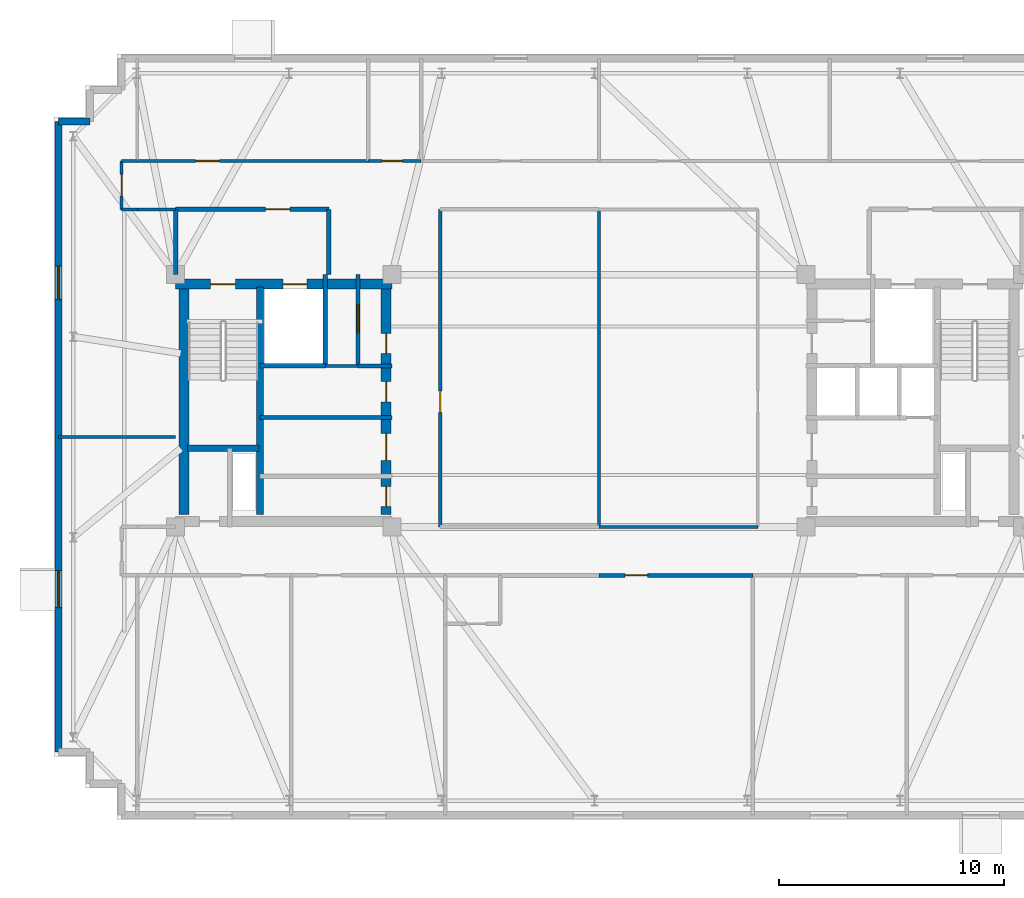
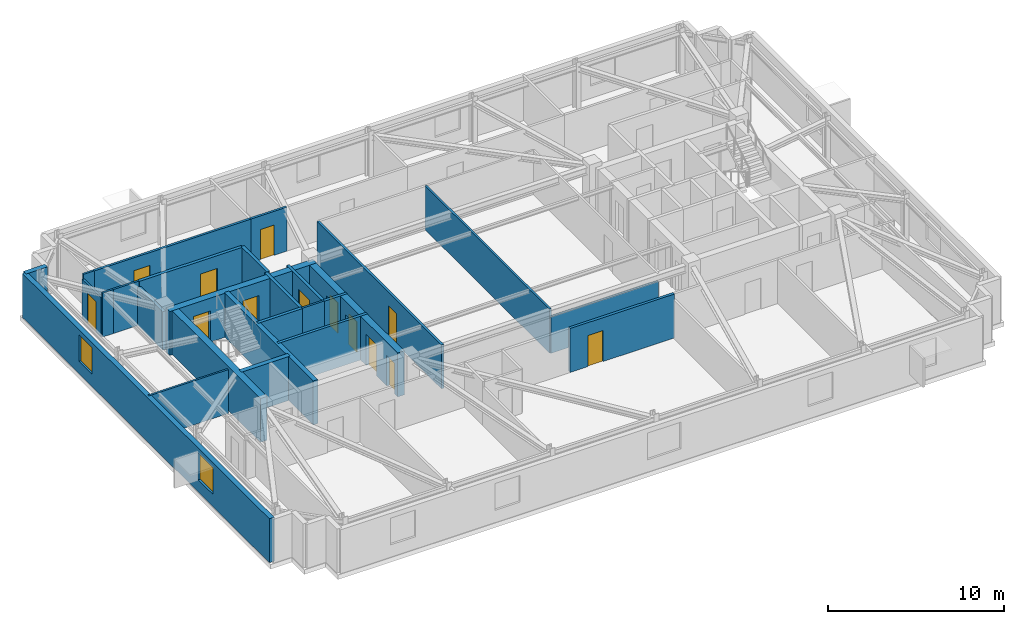
# One storey, part 6 of 10: 27 walls, 13 doors, 2 windows, 15 openings.
"""IFC4 building model written with IfcOpenShell, lengths in metres."""

import ifcopenshell
import ifcopenshell.guid

model = None  # the IFC model being written
_history = None  # IfcOwnerHistory: only IFC2X3 demands one
_inside = {}  # id of a spatial element -> (the spatial element, [elements in it])
_under = {}  # id of a project, library or spatial element -> (it, [spatial elements below it])
_declared = {}  # id of a project -> (the project, [libraries it declares])
_typed = {}  # id of a type object -> (the type object, [elements of that type])
_made_of = {}  # id of a material, layer set ... -> (it, [elements and type objects made of it])


def new_model(schema):
    """Start an empty IFC model of exactly this schema.

    Asked for "IFC4X3", IfcOpenShell would pick the latest addendum, in which some entities
    have other attributes; the version numbers below select the first issue.
    IFC2X3 requires an IfcOwnerHistory on every rooted entity: one is made here for all.
    """
    global model, _history
    if schema == "IFC4X3":
        model = ifcopenshell.file(schema_version=(4, 3, 0, 0))
    else:
        model = ifcopenshell.file(schema=schema)
    _inside.clear()
    _under.clear()
    _declared.clear()
    _typed.clear()
    _made_of.clear()
    _history = None
    if model.schema == "IFC2X3":
        org = make("IfcOrganization", Name="unknown")
        user = make(
            "IfcPersonAndOrganization",
            ThePerson=make("IfcPerson", FamilyName="unknown"),
            TheOrganization=org,
        )
        app = make(
            "IfcApplication",
            ApplicationDeveloper=org,
            Version="unknown",
            ApplicationFullName="unknown",
            ApplicationIdentifier="unknown",
        )
        _history = make(
            "IfcOwnerHistory",
            OwningUser=user,
            OwningApplication=app,
            ChangeAction="ADDED",
            CreationDate=0,
        )
    return model


def make(cls, **values):
    """One entity of the class cls with the attributes given. An attribute that is None is left unset."""
    return model.create_entity(
        cls, **{name: value for name, value in values.items() if value is not None}
    )


def rooted(cls, **values):
    """An entity with a GlobalId (a new one), such as an element, a storey or a relation."""
    return make(cls, GlobalId=ifcopenshell.guid.new(), OwnerHistory=_history, **values)


def si_unit(unit_type, name, prefix=None):
    """IfcSIUnit, for example si_unit("LENGTHUNIT", "METRE", prefix="MILLI")."""
    return make("IfcSIUnit", UnitType=unit_type, Prefix=prefix, Name=name)


def assignment(units):
    """IfcUnitAssignment: the units of a project."""
    return None if units is None else make("IfcUnitAssignment", Units=units)


def point(xyz):
    """IfcCartesianPoint."""
    return None if xyz is None else make("IfcCartesianPoint", Coordinates=xyz)


def direction(xyz):
    """IfcDirection."""
    return None if xyz is None else make("IfcDirection", DirectionRatios=xyz)


def frame(location, z_axis=None, x_axis=None):
    """IfcAxis2Placement3D, a coordinate frame: its origin and axes. An axis left out is left unset."""
    return make(
        "IfcAxis2Placement3D",
        Location=point(location),
        Axis=direction(z_axis),
        RefDirection=direction(x_axis),
    )


def frame_2d(location, x_axis=None):
    """IfcAxis2Placement2D, a coordinate frame in the plane: its origin and x axis."""
    return make(
        "IfcAxis2Placement2D", Location=point(location), RefDirection=direction(x_axis)
    )


def origin():
    """The frame at (0, 0, 0) with its axes left unset."""
    return frame((0.0, 0.0, 0.0))


def place(relative_to, where):
    """IfcLocalPlacement: puts the frame where relative to a parent placement (None: the world)."""
    return make(
        "IfcLocalPlacement", PlacementRelTo=relative_to, RelativePlacement=where
    )


def context(
    kind, dimensions, precision=None, world=None, true_north=None, identifier=None
):
    """IfcGeometricRepresentationContext, for example the 3D "Model" context."""
    return make(
        "IfcGeometricRepresentationContext",
        ContextIdentifier=identifier,
        ContextType=kind,
        CoordinateSpaceDimension=dimensions,
        Precision=precision,
        WorldCoordinateSystem=world,
        TrueNorth=true_north,
    )


def subcontext(parent, identifier, kind, view, scale=None):
    """IfcGeometricRepresentationSubContext, for example "Body" below "Model"."""
    return make(
        "IfcGeometricRepresentationSubContext",
        ContextIdentifier=identifier,
        ContextType=kind,
        ParentContext=parent,
        TargetScale=scale,
        TargetView=view,
    )


def project(units=None, contexts=None):
    """IfcProject with its units and contexts."""
    return rooted(
        "IfcProject",
        Name="project",
        RepresentationContexts=contexts,
        UnitsInContext=assignment(units),
    )


def spatial(cls, under=None, at=None, **own):
    """A site, building, storey or space (cls), placed at a placement, below another one or the project."""
    s = rooted(cls, ObjectPlacement=at, **own)
    if under is not None:
        _under.setdefault(under.id(), (under, []))[1].append(s)
    return s


def profile(cls, at=None, kind="AREA", **sizes):
    """A parametric profile (cls). Its sizes go by their IFC names, for example OverallWidth=200.0."""
    return make(cls, ProfileType=kind, Position=at, **sizes)


def rectangle(**sizes):
    """IfcRectangleProfileDef."""
    return profile("IfcRectangleProfileDef", **sizes)


def extrude(swept, where, along, depth):
    """IfcExtrudedAreaSolid: the profile swept, set in the frame where, extruded along a direction by depth."""
    return make(
        "IfcExtrudedAreaSolid",
        SweptArea=swept,
        Position=where,
        ExtrudedDirection=direction(along),
        Depth=depth,
    )


def shape(context_of_items, identifier, shape_type, items):
    """IfcShapeRepresentation: the items that make up one representation, for example the "Body"."""
    return make(
        "IfcShapeRepresentation",
        ContextOfItems=context_of_items,
        RepresentationIdentifier=identifier,
        RepresentationType=shape_type,
        Items=items,
    )


def material(Name=None, Category=None):
    """IfcMaterial."""
    return make("IfcMaterial", Name=Name, Category=Category)


def layer(
    of_material, thickness, ventilated=None, Name=None, Category=None, Priority=None
):
    """IfcMaterialLayer: one layer of a wall or slab, of a material (None: an air gap)."""
    return make(
        "IfcMaterialLayer",
        Material=of_material,
        LayerThickness=thickness,
        IsVentilated=ventilated,
        Name=Name,
        Category=Category,
        Priority=Priority,
    )


def layer_set(layers, Name=None):
    """IfcMaterialLayerSet."""
    return make("IfcMaterialLayerSet", MaterialLayers=layers, LayerSetName=Name)


def made_of(thing, what):
    """Note that an element or type object is made of a material, layer set ...; save() writes the relation."""
    if what is not None:
        _made_of.setdefault(what.id(), (what, []))[1].append(thing)
    return thing


def type_object(cls, material=None, **own):
    """A type object (cls), such as IfcWallType, which elements share."""
    return made_of(rooted(cls, **own), material)


def element(
    cls,
    number,
    at=None,
    inside=None,
    cuts=None,
    type_object=None,
    material=None,
    context=None,
    identifier="Body",
    shape_type=None,
    held_by="IfcProductDefinitionShape",
    body=None,
    shapes=None,
    **own,
):
    """One element of the class cls, such as IfcWall. Its Tag is "e" and its number.

    at: its placement. inside: the storey or other place that contains it. cuts: it is an
    opening in that element (IfcRelVoidsElement). A single representation is given by context,
    identifier, shape_type and body (its items); several are given by shapes. held_by: the class
    of the entity that holds the representations. save() writes the other relations.
    """
    e = rooted(cls, Tag="e%d" % number, ObjectPlacement=at, **own)
    if body is not None:
        shapes = [shape(context, identifier, shape_type, body)]
    if shapes is not None:
        e.Representation = make(held_by, Representations=shapes)
    if inside is not None:
        _inside.setdefault(inside.id(), (inside, []))[1].append(e)
    if cuts is not None:
        rooted(
            "IfcRelVoidsElement", RelatingBuildingElement=cuts, RelatedOpeningElement=e
        )
    if type_object is not None:
        _typed.setdefault(type_object.id(), (type_object, []))[1].append(e)
    return made_of(e, material)


def fill(opening, filler):
    """IfcRelFillsElement: the door or window that sits in an opening."""
    return rooted(
        "IfcRelFillsElement",
        RelatingOpeningElement=opening,
        RelatedBuildingElement=filler,
    )


def aggregate(whole, parts):
    """IfcRelAggregates: a whole, such as a stair, and the parts it consists of."""
    return rooted("IfcRelAggregates", RelatingObject=whole, RelatedObjects=parts)


def save(model, path):
    """Write the relations noted so far, then the file.

    IfcRelAggregates (storeys below a building ...), IfcRelContainedInSpatialStructure (elements
    in a storey), IfcRelDefinesByType, IfcRelAssociatesMaterial and IfcRelDeclares: one each for
    every whole, place, type object, material and project.
    """
    for whole, parts in _under.values():
        aggregate(whole, parts)
    for where, things in _inside.values():
        rooted(
            "IfcRelContainedInSpatialStructure",
            RelatedElements=things,
            RelatingStructure=where,
        )
    for kind, things in _typed.values():
        rooted("IfcRelDefinesByType", RelatedObjects=things, RelatingType=kind)
    for what, things in _made_of.values():
        rooted("IfcRelAssociatesMaterial", RelatedObjects=things, RelatingMaterial=what)
    for by, libraries in _declared.values():
        rooted("IfcRelDeclares", RelatingContext=by, RelatedDefinitions=libraries)
    model.write(path)


model = new_model("IFC4")

# Units and contexts
model_context = context("Model", 3, precision=1e-05, world=origin(), true_north=direction((0.0, 1.0)))
body_context = subcontext(model_context, "Body", "Model", "MODEL_VIEW")
ifc_project = project(units=[si_unit("LENGTHUNIT", "METRE"), si_unit("AREAUNIT", "SQUARE_METRE"), si_unit("VOLUMEUNIT", "CUBIC_METRE"), si_unit("PLANEANGLEUNIT", "RADIAN"), si_unit("MASSUNIT", "GRAM", prefix="KILO")], contexts=[model_context])

# Site, building, storey
site_placement = place(None, origin())
site = spatial("IfcSite", under=ifc_project, at=site_placement, CompositionType="ELEMENT")
building_placement = place(site_placement, origin())
building = spatial("IfcBuilding", under=site, at=building_placement, Name="Qobustan Lattice House", CompositionType="ELEMENT")
storey_placement = place(building_placement, frame((0.0, 0.0, 235.0)))
storey = spatial("IfcBuildingStorey", under=building, at=storey_placement, Name="L66", CompositionType="ELEMENT", Elevation=235.0)

# Wall, openings, doors
ifc_material_1 = material(Name="Concrete C50/60", Category="concrete")
ifc_layer_1 = layer(ifc_material_1, 0.43994140625)
ifc_layer_set_1 = layer_set([ifc_layer_1], Name="Concrete C50/60")
wall_type_1 = type_object("IfcWallType", Name="WAL-CORE-440", PredefinedType="SHEAR", material=ifc_layer_set_1)
wall_1_placement = place(storey_placement, frame((-18.800048828125, 5.179931640625, 0.0), z_axis=(0.0, 0.0, 1.0), x_axis=(1.0, 0.0, 0.0)))
wall_1 = element("IfcWall", 1, at=wall_1_placement, inside=storey, type_object=wall_type_1, Name="L66 split-core shear wall CW-N", PredefinedType="SHEAR", context=body_context, shape_type="SweptSolid", body=[
    extrude(rectangle(XDim=9.60009765625, YDim=0.43994140625, at=frame_2d((4.800048828125, 0.0))), origin(), (0.0, 0.0, 1.0), 3.0400390625),
])
opening_1_placement = place(wall_1_placement, frame((1.550048828125, 0.0, 0.0)))
opening_1 = element("IfcOpeningElement", 2, at=opening_1_placement, cuts=wall_1, Name="Opening SD-01", PredefinedType="OPENING", context=body_context, shape_type="SweptSolid", body=[
    extrude(rectangle(XDim=1.10009765625, YDim=2.14990234375, at=frame_2d((0.550048828125, 1.074951171875))), frame((0.0, 0.22998046875, 0.0), z_axis=(0.0, -1.0, 0.0), x_axis=(1.0, 0.0, 0.0)), (0.0, 0.0, 1.0), 0.4599609375),
])
opening_2_placement = place(wall_1_placement, frame((4.77490234375, 0.0, 0.0)))
opening_2 = element("IfcOpeningElement", 3, at=opening_2_placement, cuts=wall_1, Name="Opening LD-01", PredefinedType="OPENING", context=body_context, shape_type="SweptSolid", body=[
    extrude(rectangle(XDim=1.050048828125, YDim=2.10009765625, at=frame_2d((0.52490234375, 1.050048828125))), frame((0.0, 0.22998046875, 0.0), z_axis=(0.0, -1.0, 0.0), x_axis=(1.0, 0.0, 0.0)), (0.0, 0.0, 1.0), 0.4599609375),
])
ifc_material_2 = material(Name="Persian walnut timber and steel frame door", Category="steel")
door_type_1 = type_object("IfcDoorType", Name="DOR-LIFT-LD-1050x2100", OperationType="NOTDEFINED", PredefinedType="DOOR", material=ifc_material_2)
door_1_placement = place(opening_2_placement, origin())
door_1 = element("IfcDoor", 4, at=door_1_placement, inside=storey, type_object=door_type_1, Name="L66 firefighting lift FF-W landing door", OperationType="DOUBLE_DOOR_SLIDING", OverallHeight=2.10009765625, OverallWidth=1.050048828125, PredefinedType="DOOR", context=body_context, shape_type="SweptSolid", body=[
    extrude(rectangle(XDim=1.050048828125, YDim=2.10009765625, at=frame_2d((0.52490234375, 1.050048828125))), frame((0.0, 0.02490234375, 0.0), z_axis=(0.0, -1.0, 0.0), x_axis=(1.0, 0.0, 0.0)), (0.0, 0.0, 1.0), 0.050048828125),
])
fill(opening_2, door_1)
ifc_material_3 = material(Name="Persian walnut timber and steel frame door", Category="steel")
door_type_2 = type_object("IfcDoorType", Name="DOR-STAIR-FD-1100x2150", OperationType="NOTDEFINED", PredefinedType="DOOR", material=ifc_material_3)
door_2_placement = place(opening_1_placement, origin())
door_2 = element("IfcDoor", 5, at=door_2_placement, inside=storey, type_object=door_type_2, Name="L66 exit stair ST-W1 fire door", OperationType="SINGLE_SWING_RIGHT", OverallHeight=2.14990234375, OverallWidth=1.10009765625, PredefinedType="DOOR", context=body_context, shape_type="SweptSolid", body=[
    extrude(rectangle(XDim=1.10009765625, YDim=2.14990234375, at=frame_2d((0.550048828125, 1.074951171875))), frame((0.0, 0.02490234375, 0.0), z_axis=(0.0, -1.0, 0.0), x_axis=(1.0, 0.0, 0.0)), (0.0, 0.0, 1.0), 0.050048828125),
])
fill(opening_1, door_2)

# Wall
wall_2_placement = place(storey_placement, frame((-18.429931640625, -5.050048828125, 0.0), z_axis=(0.0, 0.0, 1.0), x_axis=(0.0, 1.0, 0.0)))
element("IfcWall", 6, at=wall_2_placement, inside=storey, type_object=wall_type_1, Name="L66 split-core shear wall CW-W", PredefinedType="SHEAR", context=body_context, shape_type="SweptSolid", body=[
    extrude(rectangle(XDim=10.10009765625, YDim=0.43994140625, at=frame_2d((5.050048828125, 0.0))), origin(), (0.0, 0.0, 1.0), 3.0400390625),
])

# Wall, openings, doors
wall_3_placement = place(storey_placement, frame((-9.449951171875, -5.050048828125, 0.0), z_axis=(0.0, 0.0, 1.0), x_axis=(0.0, 1.0, 0.0)))
wall_3 = element("IfcWall", 7, at=wall_3_placement, inside=storey, type_object=wall_type_1, Name="L66 split-core shear wall CW-E", PredefinedType="SHEAR", context=body_context, shape_type="SweptSolid", body=[
    extrude(rectangle(XDim=10.10009765625, YDim=0.43994140625, at=frame_2d((5.050048828125, 0.0))), origin(), (0.0, 0.0, 1.0), 3.0400390625),
])
opening_3_placement = place(wall_3_placement, frame((7.14990234375, 0.0, 0.0)))
opening_3 = element("IfcOpeningElement", 8, at=opening_3_placement, cuts=wall_3, Name="Opening RD-01", PredefinedType="OPENING", context=body_context, shape_type="SweptSolid", body=[
    extrude(rectangle(XDim=0.89990234375, YDim=2.10009765625, at=frame_2d((0.449951171875, 1.050048828125))), frame((0.0, 0.22998046875, 0.0), z_axis=(0.0, -1.0, 0.0), x_axis=(1.0, 0.0, 0.0)), (0.0, 0.0, 1.0), 0.4599609375),
])
opening_4_placement = place(wall_3_placement, frame((2.39990234375, 0.0, 0.0)))
opening_4 = element("IfcOpeningElement", 9, at=opening_4_placement, cuts=wall_3, Name="Opening FD-01", PredefinedType="OPENING", context=body_context, shape_type="SweptSolid", body=[
    extrude(rectangle(XDim=1.199951171875, YDim=2.14990234375, at=frame_2d((0.60009765625, 1.074951171875))), frame((0.0, 0.22998046875, 0.0), z_axis=(0.0, -1.0, 0.0), x_axis=(1.0, 0.0, 0.0)), (0.0, 0.0, 1.0), 0.4599609375),
])
opening_5_placement = place(wall_3_placement, frame((0.35009765625, 0.0, 0.0)))
opening_5 = element("IfcOpeningElement", 10, at=opening_5_placement, cuts=wall_3, Name="Opening RD-01", PredefinedType="OPENING", context=body_context, shape_type="SweptSolid", body=[
    extrude(rectangle(XDim=0.89990234375, YDim=2.10009765625, at=frame_2d((0.449951171875, 1.050048828125))), frame((0.0, 0.22998046875, 0.0), z_axis=(0.0, -1.0, 0.0), x_axis=(1.0, 0.0, 0.0)), (0.0, 0.0, 1.0), 0.4599609375),
])
opening_6_placement = place(wall_3_placement, frame((5.0, 0.0, 0.0)))
opening_6 = element("IfcOpeningElement", 11, at=opening_6_placement, cuts=wall_3, Name="Opening RD-01", PredefinedType="OPENING", context=body_context, shape_type="SweptSolid", body=[
    extrude(rectangle(XDim=0.89990234375, YDim=2.10009765625, at=frame_2d((0.449951171875, 1.050048828125))), frame((0.0, 0.22998046875, 0.0), z_axis=(0.0, -1.0, 0.0), x_axis=(1.0, 0.0, 0.0)), (0.0, 0.0, 1.0), 0.4599609375),
])
ifc_material_4 = material(Name="Persian walnut timber and steel frame door", Category="steel")
door_type_3 = type_object("IfcDoorType", Name="DOR-LOBBY-FD-1200x2150", OperationType="NOTDEFINED", PredefinedType="DOOR", material=ifc_material_4)
door_3_placement = place(opening_4_placement, origin())
door_3 = element("IfcDoor", 12, at=door_3_placement, inside=storey, type_object=door_type_3, Name="L66 West core foyer fire door", OperationType="SINGLE_SWING_LEFT", OverallHeight=2.14990234375, OverallWidth=1.199951171875, PredefinedType="DOOR", context=body_context, shape_type="SweptSolid", body=[
    extrude(rectangle(XDim=1.199951171875, YDim=2.14990234375, at=frame_2d((0.60009765625, 1.074951171875))), frame((0.0, 0.02490234375, 0.0), z_axis=(0.0, -1.0, 0.0), x_axis=(1.0, 0.0, 0.0)), (0.0, 0.0, 1.0), 0.050048828125),
])
fill(opening_4, door_3)
ifc_material_5 = material(Name="Persian walnut timber and steel frame door", Category="steel")
door_type_4 = type_object("IfcDoorType", Name="DOR-RISER-FD-900x2100", OperationType="NOTDEFINED", PredefinedType="DOOR", material=ifc_material_5)
door_4_placement = place(opening_3_placement, origin())
door_4 = element("IfcDoor", 13, at=door_4_placement, inside=storey, type_object=door_type_4, Name="L66 Data comms closet fire door", OperationType="SINGLE_SWING_RIGHT", OverallHeight=2.10009765625, OverallWidth=0.89990234375, PredefinedType="DOOR", context=body_context, shape_type="SweptSolid", body=[
    extrude(rectangle(XDim=0.89990234375, YDim=2.10009765625, at=frame_2d((0.449951171875, 1.050048828125))), frame((0.0, 0.02490234375, 0.0), z_axis=(0.0, -1.0, 0.0), x_axis=(1.0, 0.0, 0.0)), (0.0, 0.0, 1.0), 0.050048828125),
])
fill(opening_3, door_4)
door_5_placement = place(opening_5_placement, origin())
door_5 = element("IfcDoor", 14, at=door_5_placement, inside=storey, type_object=door_type_4, Name="L66 Collaborative study lounge fire door", OperationType="SINGLE_SWING_RIGHT", OverallHeight=2.10009765625, OverallWidth=0.89990234375, PredefinedType="DOOR", context=body_context, shape_type="SweptSolid", body=[
    extrude(rectangle(XDim=0.89990234375, YDim=2.10009765625, at=frame_2d((0.449951171875, 1.050048828125))), frame((0.0, 0.02490234375, 0.0), z_axis=(0.0, -1.0, 0.0), x_axis=(1.0, 0.0, 0.0)), (0.0, 0.0, 1.0), 0.050048828125),
])
fill(opening_5, door_5)
door_6_placement = place(opening_6_placement, origin())
door_6 = element("IfcDoor", 15, at=door_6_placement, inside=storey, type_object=door_type_4, Name="L66 Focus booth pod fire door", OperationType="SINGLE_SWING_LEFT", OverallHeight=2.10009765625, OverallWidth=0.89990234375, PredefinedType="DOOR", context=body_context, shape_type="SweptSolid", body=[
    extrude(rectangle(XDim=0.89990234375, YDim=2.10009765625, at=frame_2d((0.449951171875, 1.050048828125))), frame((0.0, 0.02490234375, 0.0), z_axis=(0.0, -1.0, 0.0), x_axis=(1.0, 0.0, 0.0)), (0.0, 0.0, 1.0), 0.050048828125),
])
fill(opening_6, door_6)

# Walls
ifc_material_6 = material(Name="Concrete C50/60", Category="concrete")
ifc_layer_2 = layer(ifc_material_6, 0.280029296875)
ifc_layer_set_2 = layer_set([ifc_layer_2], Name="Concrete C50/60")
wall_type_2 = type_object("IfcWallType", Name="WAL-CORE-SPINE-280", PredefinedType="SHEAR", material=ifc_layer_set_2)
wall_4_placement = place(storey_placement, frame((-15.050048828125, -5.050048828125, 0.0), z_axis=(0.0, 0.0, 1.0), x_axis=(0.0, 1.0, 0.0)))
element("IfcWall", 16, at=wall_4_placement, inside=storey, type_object=wall_type_2, Name="L66 split-core shear wall CW-M", PredefinedType="SHEAR", context=body_context, shape_type="SweptSolid", body=[
    extrude(rectangle(XDim=10.10009765625, YDim=0.300048828125, at=frame_2d((5.050048828125, 0.0))), origin(), (0.0, 0.0, 1.0), 3.0400390625),
])
wall_5_placement = place(storey_placement, frame((-18.280029296875, -2.110107421875, 0.0), z_axis=(0.0, 0.0, 1.0), x_axis=(1.0, 0.0, 0.0)))
element("IfcWall", 17, at=wall_5_placement, inside=storey, type_object=wall_type_2, Name="L66 split-core shear wall CW-ST", PredefinedType="SHEAR", context=body_context, shape_type="SweptSolid", body=[
    extrude(rectangle(XDim=3.179931640625, YDim=0.300048828125, at=frame_2d((1.58984375, 0.0))), origin(), (0.0, 0.0, 1.0), 3.0400390625),
])

# Wall, openings, windows
ifc_material_7 = material(Name="Precast concrete C40/50", Category="concrete")
ifc_layer_3 = layer(ifc_material_7, 0.320068359375)
ifc_layer_set_3 = layer_set([ifc_layer_3], Name="Precast concrete C40/50")
wall_type_3 = type_object("IfcWallType", Name="WAL-EXT-STONE-320", PredefinedType="SOLIDWALL", material=ifc_layer_set_3)
wall_6_placement = place(storey_placement, frame((-24.0, -15.60009765625, 0.0), z_axis=(0.0, 0.0, 1.0), x_axis=(0.0, 1.0, 0.0)))
wall_6 = element("IfcWall", 18, at=wall_6_placement, inside=storey, type_object=wall_type_3, Name="L66 exterior limestone-clad wall 5", PredefinedType="SOLIDWALL", context=body_context, shape_type="SweptSolid", body=[
    extrude(rectangle(XDim=28.0, YDim=0.320068359375, at=frame_2d((14.0, 0.0))), origin(), (0.0, 0.0, 1.0), 3.0400390625),
])
opening_7_placement = place(wall_6_placement, frame((6.4150390625, 0.0, 0.85009765625)))
opening_7 = element("IfcOpeningElement", 19, at=opening_7_placement, cuts=wall_6, Name="Opening WN-09", PredefinedType="OPENING", context=body_context, shape_type="SweptSolid", body=[
    extrude(rectangle(XDim=1.64990234375, YDim=1.85009765625, at=frame_2d((0.824951171875, 0.925048828125))), frame((0.0, 0.169921875, 0.0), z_axis=(0.0, -1.0, 0.0), x_axis=(1.0, 0.0, 0.0)), (0.0, 0.0, 1.0), 0.340087890625),
])
opening_8_placement = place(wall_6_placement, frame((20.090087890625, 0.0, 0.85009765625)))
opening_8 = element("IfcOpeningElement", 20, at=opening_8_placement, cuts=wall_6, Name="Opening WN-01", PredefinedType="OPENING", context=body_context, shape_type="SweptSolid", body=[
    extrude(rectangle(XDim=1.5, YDim=1.85009765625, at=frame_2d((0.75, 0.925048828125))), frame((0.0, 0.169921875, 0.0), z_axis=(0.0, -1.0, 0.0), x_axis=(1.0, 0.0, 0.0)), (0.0, 0.0, 1.0), 0.340087890625),
])
ifc_material_8 = material(Name="Double-glazed low-E aluminium window", Category="aluminium")
window_type_1 = type_object("IfcWindowType", Name="WIN-BED-1500x1850", PartitioningType="SINGLE_PANEL", PredefinedType="WINDOW", material=ifc_material_8)
window_1_placement = place(opening_8_placement, origin())
window_1 = element("IfcWindow", 21, at=window_1_placement, inside=storey, type_object=window_type_1, Name="L66 Music and podcast studio window", OverallHeight=1.85009765625, OverallWidth=1.5, PartitioningType="SINGLE_PANEL", PredefinedType="WINDOW", context=body_context, shape_type="SweptSolid", body=[
    extrude(rectangle(XDim=1.5, YDim=1.85009765625, at=frame_2d((0.75, 0.925048828125))), frame((0.0, 0.030029296875, 0.0), z_axis=(0.0, -1.0, 0.0), x_axis=(1.0, 0.0, 0.0)), (0.0, 0.0, 1.0), 0.06005859375),
])
fill(opening_8, window_1)
ifc_material_9 = material(Name="Double-glazed low-E aluminium window", Category="aluminium")
window_type_2 = type_object("IfcWindowType", Name="WIN-STU-1650x1850", PartitioningType="SINGLE_PANEL", PredefinedType="WINDOW", material=ifc_material_9)
window_2_placement = place(opening_7_placement, origin())
window_2 = element("IfcWindow", 22, at=window_2_placement, inside=storey, type_object=window_type_2, Name="L66 Academic seminar room window", OverallHeight=1.85009765625, OverallWidth=1.64990234375, PartitioningType="SINGLE_PANEL", PredefinedType="WINDOW", context=body_context, shape_type="SweptSolid", body=[
    extrude(rectangle(XDim=1.64990234375, YDim=1.85009765625, at=frame_2d((0.824951171875, 0.925048828125))), frame((0.0, 0.030029296875, 0.0), z_axis=(0.0, -1.0, 0.0), x_axis=(1.0, 0.0, 0.0)), (0.0, 0.0, 1.0), 0.06005859375),
])
fill(opening_7, window_2)

# Wall
wall_7_placement = place(storey_placement, frame((-24.0, 12.39990234375, 0.0), z_axis=(0.0, 0.0, 1.0), x_axis=(1.0, 0.0, 0.0)))
element("IfcWall", 23, at=wall_7_placement, inside=storey, type_object=wall_type_3, Name="L66 exterior limestone-clad wall 6", PredefinedType="SOLIDWALL", context=body_context, shape_type="SweptSolid", body=[
    extrude(rectangle(XDim=1.39990234375, YDim=0.320068359375, at=frame_2d((0.699951171875, 0.0))), origin(), (0.0, 0.0, 1.0), 3.0400390625),
])

# Wall, opening, door
ifc_material_10 = material(Name="Gypsum fireboard acoustic partition", Category="gypsum")
ifc_layer_4 = layer(ifc_material_10, 0.179931640625)
ifc_layer_set_4 = layer_set([ifc_layer_4], Name="Gypsum fireboard acoustic partition")
wall_type_4 = type_object("IfcWallType", Name="WAL-FIRE-180", PredefinedType="PARTITIONING", material=ifc_layer_set_4)
wall_8_placement = place(storey_placement, frame((-10.699951171875, 5.60009765625, 0.0), z_axis=(0.0, 0.0, 1.0), x_axis=(0.0, -1.0, 0.0)))
wall_8 = element("IfcWall", 24, at=wall_8_placement, inside=storey, type_object=wall_type_4, Name="L66 interior partition 6", PredefinedType="PARTITIONING", context=body_context, shape_type="SweptSolid", body=[
    extrude(rectangle(XDim=4.050048828125, YDim=0.179931640625, at=frame_2d((2.02490234375, 0.0))), origin(), (0.0, 0.0, 1.0), 3.0400390625),
])
opening_9_placement = place(wall_8_placement, frame((1.324951171875, 0.0, 0.0)))
opening_9 = element("IfcOpeningElement", 25, at=opening_9_placement, cuts=wall_8, Name="Opening FD-03", PredefinedType="OPENING", context=body_context, shape_type="SweptSolid", body=[
    extrude(rectangle(XDim=1.25, YDim=2.199951171875, at=frame_2d((0.625, 1.10009765625))), frame((0.0, 0.099853515625, 0.0), z_axis=(0.0, -1.0, 0.0), x_axis=(1.0, 0.0, 0.0)), (0.0, 0.0, 1.0), 0.199951171875),
])
ifc_material_11 = material(Name="Persian walnut timber and steel frame door", Category="steel")
door_type_5 = type_object("IfcDoorType", Name="DOR-PLANT-1250x2200", OperationType="NOTDEFINED", PredefinedType="DOOR", material=ifc_material_11)
door_7_placement = place(opening_9_placement, origin())
door_7 = element("IfcDoor", 26, at=door_7_placement, inside=storey, type_object=door_type_5, Name="L66 Data comms closet to Linen store door", OperationType="SINGLE_SWING_LEFT", OverallHeight=2.199951171875, OverallWidth=1.25, PredefinedType="DOOR", context=body_context, shape_type="SweptSolid", body=[
    extrude(rectangle(XDim=1.25, YDim=2.199951171875, at=frame_2d((0.625, 1.10009765625))), frame((0.0, 0.02490234375, 0.0), z_axis=(0.0, -1.0, 0.0), x_axis=(1.0, 0.0, 0.0)), (0.0, 0.0, 1.0), 0.050048828125),
])
fill(opening_9, door_7)

# Walls
wall_9_placement = place(storey_placement, frame((-10.699951171875, 1.550048828125, 0.0), z_axis=(0.0, 0.0, 1.0), x_axis=(1.0, 0.0, 0.0)))
element("IfcWall", 27, at=wall_9_placement, inside=storey, type_object=wall_type_4, Name="L66 interior partition 7", PredefinedType="PARTITIONING", context=body_context, shape_type="SweptSolid", body=[
    extrude(rectangle(XDim=1.5, YDim=0.179931640625, at=frame_2d((0.75, 0.0))), origin(), (0.0, 0.0, 1.0), 3.0400390625),
])
wall_10_placement = place(storey_placement, frame((-9.199951171875, -0.75, 0.0), z_axis=(0.0, 0.0, 1.0), x_axis=(-1.0, 0.0, 0.0)))
element("IfcWall", 28, at=wall_10_placement, inside=storey, type_object=wall_type_4, Name="L66 interior partition 11", PredefinedType="PARTITIONING", context=body_context, shape_type="SweptSolid", body=[
    extrude(rectangle(XDim=5.85009765625, YDim=0.179931640625, at=frame_2d((2.925048828125, 0.0))), origin(), (0.0, 0.0, 1.0), 3.0400390625),
])

# Wall, opening, door
wall_11_placement = place(storey_placement, frame((6.8330078125, -7.75, 0.0), z_axis=(0.0, 0.0, 1.0), x_axis=(-1.0, 0.0, 0.0)))
wall_11 = element("IfcWall", 29, at=wall_11_placement, inside=storey, type_object=wall_type_4, Name="L66 interior partition 59", PredefinedType="PARTITIONING", context=body_context, shape_type="SweptSolid", body=[
    extrude(rectangle(XDim=6.8330078125, YDim=0.179931640625, at=frame_2d((3.41650390625, 0.0))), origin(), (0.0, 0.0, 1.0), 3.0400390625),
])
opening_10_placement = place(wall_11_placement, frame((4.6689453125, 0.0, 0.0)))
opening_10 = element("IfcOpeningElement", 30, at=opening_10_placement, cuts=wall_11, Name="Opening FD-02", PredefinedType="OPENING", context=body_context, shape_type="SweptSolid", body=[
    extrude(rectangle(XDim=1.0, YDim=2.14990234375, at=frame_2d((0.5, 1.074951171875))), frame((0.0, 0.099853515625, 0.0), z_axis=(0.0, -1.0, 0.0), x_axis=(1.0, 0.0, 0.0)), (0.0, 0.0, 1.0), 0.199951171875),
])
ifc_material_12 = material(Name="Persian walnut timber and steel frame door", Category="steel")
door_type_6 = type_object("IfcDoorType", Name="DOR-UNIT-FD-1000x2150", OperationType="NOTDEFINED", PredefinedType="DOOR", material=ifc_material_12)
door_8_placement = place(opening_10_placement, origin())
door_8 = element("IfcDoor", 31, at=door_8_placement, inside=storey, type_object=door_type_6, Name="L66 South-east floor corridor to Kitchenette and studio apartment L66-S2 door", OperationType="SINGLE_SWING_RIGHT", OverallHeight=2.14990234375, OverallWidth=1.0, PredefinedType="DOOR", context=body_context, shape_type="SweptSolid", body=[
    extrude(rectangle(XDim=1.0, YDim=2.14990234375, at=frame_2d((0.5, 1.074951171875))), frame((0.0, 0.02490234375, 0.0), z_axis=(0.0, -1.0, 0.0), x_axis=(1.0, 0.0, 0.0)), (0.0, 0.0, 1.0), 0.050048828125),
])
fill(opening_10, door_8)

# Wall
ifc_material_13 = material(Name="Lightweight acoustic stud partition", Category="gypsum")
ifc_layer_5 = layer(ifc_material_13, 0.125)
ifc_layer_set_5 = layer_set([ifc_layer_5], Name="Lightweight acoustic stud partition")
wall_type_5 = type_object("IfcWallType", Name="WAL-PART-125", PredefinedType="PARTITIONING", material=ifc_layer_set_5)
wall_12_placement = place(storey_placement, frame((-12.14990234375, 1.550048828125, 0.0), z_axis=(0.0, 0.0, 1.0), x_axis=(1.0, 0.0, 0.0)))
element("IfcWall", 32, at=wall_12_placement, inside=storey, type_object=wall_type_5, Name="L66 interior partition 9", PredefinedType="PARTITIONING", context=body_context, shape_type="SweptSolid", body=[
    extrude(rectangle(XDim=1.449951171875, YDim=0.125, at=frame_2d((0.72509765625, 0.0))), origin(), (0.0, 0.0, 1.0), 3.0400390625),
])

# Wall, opening, door
wall_13_placement = place(storey_placement, frame((-21.199951171875, 8.5, 0.0), z_axis=(0.0, 0.0, 1.0), x_axis=(0.0, 1.0, 0.0)))
wall_13 = element("IfcWall", 33, at=wall_13_placement, inside=storey, type_object=wall_type_5, Name="L66 interior partition 31", PredefinedType="PARTITIONING", context=body_context, shape_type="SweptSolid", body=[
    extrude(rectangle(XDim=2.14990234375, YDim=0.125, at=frame_2d((1.074951171875, 0.0))), origin(), (0.0, 0.0, 1.0), 2.695068359375),
])
opening_11_placement = place(wall_13_placement, frame((0.60009765625, 0.0, 0.0)))
opening_11 = element("IfcOpeningElement", 34, at=opening_11_placement, cuts=wall_13, Name="Opening ID-01", PredefinedType="OPENING", context=body_context, shape_type="SweptSolid", body=[
    extrude(rectangle(XDim=0.949951171875, YDim=2.10009765625, at=frame_2d((0.47509765625, 1.050048828125))), frame((0.0, 0.072509765625, 0.0), z_axis=(0.0, -1.0, 0.0), x_axis=(1.0, 0.0, 0.0)), (0.0, 0.0, 1.0), 0.14501953125),
])
ifc_material_14 = material(Name="Persian walnut timber and steel frame door", Category="steel")
door_type_7 = type_object("IfcDoorType", Name="DOR-ROOM-950x2100", OperationType="NOTDEFINED", PredefinedType="DOOR", material=ifc_material_14)
door_9_placement = place(opening_11_placement, origin())
door_9 = element("IfcDoor", 35, at=door_9_placement, inside=storey, type_object=door_type_7, Name="L66 North-west floor corridor to Music and podcast studio door", OperationType="SINGLE_SWING_LEFT", OverallHeight=2.10009765625, OverallWidth=0.949951171875, PredefinedType="DOOR", context=body_context, shape_type="SweptSolid", body=[
    extrude(rectangle(XDim=0.949951171875, YDim=2.10009765625, at=frame_2d((0.47509765625, 1.050048828125))), frame((0.0, 0.02490234375, 0.0), z_axis=(0.0, -1.0, 0.0), x_axis=(1.0, 0.0, 0.0)), (0.0, 0.0, 1.0), 0.050048828125),
])
fill(opening_11, door_9)

# Walls
wall_14_placement = place(storey_placement, frame((-18.800048828125, 8.5, 0.0), z_axis=(0.0, 0.0, 1.0), x_axis=(-1.0, 0.0, 0.0)))
element("IfcWall", 36, at=wall_14_placement, inside=storey, type_object=wall_type_5, Name="L66 interior partition 32", PredefinedType="PARTITIONING", context=body_context, shape_type="SweptSolid", body=[
    extrude(rectangle(XDim=1.699951171875, YDim=0.125, at=frame_2d((0.85009765625, 0.0))), origin(), (0.0, 0.0, 1.0), 3.0400390625),
])
for number, where, z_axis, x_axis, name in (
    (37, (-20.5, 8.5, 0.0), (0.0, 0.0, 1.0), (-1.0, 0.0, 0.0), "L66 interior partition 33"),
    (38, (-21.199951171875, 10.64990234375, 0.0), (0.0, 0.0, 1.0), (1.0, 0.0, 0.0), "L66 interior partition 34"),
):
    element("IfcWall", number, at=place(storey_placement, frame(where, z_axis=z_axis, x_axis=x_axis)), inside=storey, type_object=wall_type_5, Name=name, PredefinedType="PARTITIONING", context=body_context, shape_type="SweptSolid", body=[
        extrude(rectangle(XDim=0.699951171875, YDim=0.125, at=frame_2d((0.35009765625, 0.0))), origin(), (0.0, 0.0, 1.0), 3.0400390625),
    ])
wall_15_placement = place(storey_placement, frame((0.0, -5.60009765625, 0.0), z_axis=(0.0, 0.0, 1.0), x_axis=(1.0, 0.0, 0.0)))
element("IfcWall", 39, at=wall_15_placement, inside=storey, type_object=wall_type_5, Name="L66 interior partition 62", PredefinedType="PARTITIONING", context=body_context, shape_type="SweptSolid", body=[
    extrude(rectangle(XDim=7.050048828125, YDim=0.125, at=frame_2d((3.52490234375, 0.0))), origin(), (0.0, 0.0, 1.0), 2.52490234375),
])
wall_16_placement = place(storey_placement, frame((-24.0, -1.60009765625, 0.0), z_axis=(0.0, 0.0, 1.0), x_axis=(1.0, 0.0, 0.0)))
element("IfcWall", 40, at=wall_16_placement, inside=storey, type_object=wall_type_5, Name="L66 interior partition 65", PredefinedType="PARTITIONING", context=body_context, shape_type="SweptSolid", body=[
    extrude(rectangle(XDim=5.199951171875, YDim=0.125, at=frame_2d((2.60009765625, 0.0))), origin(), (0.0, 0.0, 1.0), 3.0400390625),
])
wall_17_placement = place(storey_placement, frame((0.0, 8.5, 0.0), z_axis=(0.0, 0.0, 1.0), x_axis=(0.0, -1.0, 0.0)))
element("IfcWall", 41, at=wall_17_placement, inside=storey, type_object=wall_type_5, Name="L66 interior partition 82", PredefinedType="PARTITIONING", context=body_context, shape_type="SweptSolid", body=[
    extrude(rectangle(XDim=14.10009765625, YDim=0.125, at=frame_2d((7.050048828125, 0.0))), origin(), (0.0, 0.0, 1.0), 3.0400390625),
])

# Wall, opening, door
ifc_material_15 = material(Name="Acoustic twin-stud gypsum partition", Category="gypsum")
ifc_layer_6 = layer(ifc_material_15, 0.14990234375)
ifc_layer_set_6 = layer_set([ifc_layer_6], Name="Acoustic twin-stud gypsum partition")
wall_type_6 = type_object("IfcWallType", Name="WAL-PART-150", PredefinedType="PARTITIONING", material=ifc_layer_set_6)
wall_18_placement = place(storey_placement, frame((-20.5, 10.64990234375, 0.0), z_axis=(0.0, 0.0, 1.0), x_axis=(1.0, 0.0, 0.0)))
wall_18 = element("IfcWall", 42, at=wall_18_placement, inside=storey, type_object=wall_type_6, Name="L66 interior partition 35", PredefinedType="PARTITIONING", context=body_context, shape_type="SweptSolid", body=[
    extrude(rectangle(XDim=10.25, YDim=0.14990234375, at=frame_2d((5.125, 0.0))), origin(), (0.0, 0.0, 1.0), 3.0400390625),
])
opening_12_placement = place(wall_18_placement, frame((2.590087890625, 0.0, 0.0)))
opening_12 = element("IfcOpeningElement", 43, at=opening_12_placement, cuts=wall_18, Name="Opening ID-02", PredefinedType="OPENING", context=body_context, shape_type="SweptSolid", body=[
    extrude(rectangle(XDim=1.050048828125, YDim=2.14990234375, at=frame_2d((0.52490234375, 1.074951171875))), frame((0.0, 0.0849609375, 0.0), z_axis=(0.0, -1.0, 0.0), x_axis=(1.0, 0.0, 0.0)), (0.0, 0.0, 1.0), 0.169921875),
])
ifc_material_16 = material(Name="Persian walnut timber and steel frame door", Category="steel")
door_type_8 = type_object("IfcDoorType", Name="DOR-STUDY-1050x2150", OperationType="NOTDEFINED", PredefinedType="DOOR", material=ifc_material_16)
door_10_placement = place(opening_12_placement, origin())
door_10 = element("IfcDoor", 44, at=door_10_placement, inside=storey, type_object=door_type_8, Name="L66 North-west floor corridor to Focus study room N1 door", OperationType="SINGLE_SWING_RIGHT", OverallHeight=2.14990234375, OverallWidth=1.050048828125, PredefinedType="DOOR", context=body_context, shape_type="SweptSolid", body=[
    extrude(rectangle(XDim=1.050048828125, YDim=2.14990234375, at=frame_2d((0.52490234375, 1.074951171875))), frame((0.0, 0.02490234375, 0.0), z_axis=(0.0, -1.0, 0.0), x_axis=(1.0, 0.0, 0.0)), (0.0, 0.0, 1.0), 0.050048828125),
])
fill(opening_12, door_10)

wall_19_placement = place(storey_placement, frame((-7.050048828125, 8.5, 0.0), z_axis=(0.0, 0.0, 1.0), x_axis=(0.0, -1.0, 0.0)))
wall_19 = element("IfcWall", 45, at=wall_19_placement, inside=storey, type_object=wall_type_6, Name="L66 interior partition 63", PredefinedType="PARTITIONING", context=body_context, shape_type="SweptSolid", body=[
    extrude(rectangle(XDim=14.10009765625, YDim=0.14990234375, at=frame_2d((7.050048828125, 0.0))), origin(), (0.0, 0.0, 1.0), 3.0400390625),
])
opening_13_placement = place(wall_19_placement, frame((8.07373046875, 0.0, 0.0)))
opening_13 = element("IfcOpeningElement", 46, at=opening_13_placement, cuts=wall_19, Name="Opening ID-01", PredefinedType="OPENING", context=body_context, shape_type="SweptSolid", body=[
    extrude(rectangle(XDim=0.949951171875, YDim=2.10009765625, at=frame_2d((0.47509765625, 1.050048828125))), frame((0.0, 0.0849609375, 0.0), z_axis=(0.0, -1.0, 0.0), x_axis=(1.0, 0.0, 0.0)), (0.0, 0.0, 1.0), 0.169921875),
])
door_11_placement = place(opening_13_placement, origin())
door_11 = element("IfcDoor", 47, at=door_11_placement, inside=storey, type_object=door_type_7, Name="L66 West floor link corridor to Design studio workspace door", OperationType="SINGLE_SWING_LEFT", OverallHeight=2.10009765625, OverallWidth=0.949951171875, PredefinedType="DOOR", context=body_context, shape_type="SweptSolid", body=[
    extrude(rectangle(XDim=0.949951171875, YDim=2.10009765625, at=frame_2d((0.47509765625, 1.050048828125))), frame((0.0, 0.02490234375, 0.0), z_axis=(0.0, -1.0, 0.0), x_axis=(1.0, 0.0, 0.0)), (0.0, 0.0, 1.0), 0.050048828125),
])
fill(opening_13, door_11)

ifc_material_17 = material(Name="Two-hour gypsum fireboard acoustic partition", Category="gypsum")
ifc_layer_7 = layer(ifc_material_17, 0.199951171875)
ifc_layer_set_7 = layer_set([ifc_layer_7], Name="Two-hour gypsum fireboard acoustic partition")
wall_type_7 = type_object("IfcWallType", Name="WAL-PROT-200", PredefinedType="PARTITIONING", material=ifc_layer_set_7)
wall_20_placement = place(storey_placement, frame((-12.0, 8.5, 0.0), z_axis=(0.0, 0.0, 1.0), x_axis=(-1.0, 0.0, 0.0)))
wall_20 = element("IfcWall", 48, at=wall_20_placement, inside=storey, type_object=wall_type_7, Name="L66 interior partition 3", PredefinedType="PARTITIONING", context=body_context, shape_type="SweptSolid", body=[
    extrude(rectangle(XDim=6.800048828125, YDim=0.199951171875, at=frame_2d((3.39990234375, 0.0))), origin(), (0.0, 0.0, 1.0), 3.0400390625),
])
opening_14_placement = place(wall_20_placement, frame((1.715087890625, 0.0, 0.0)))
opening_14 = element("IfcOpeningElement", 49, at=opening_14_placement, cuts=wall_20, Name="Opening SD-01", PredefinedType="OPENING", context=body_context, shape_type="SweptSolid", body=[
    extrude(rectangle(XDim=1.10009765625, YDim=2.14990234375, at=frame_2d((0.550048828125, 1.074951171875))), frame((0.0, 0.10986328125, 0.0), z_axis=(0.0, -1.0, 0.0), x_axis=(1.0, 0.0, 0.0)), (0.0, 0.0, 1.0), 0.219970703125),
])
door_12_placement = place(opening_14_placement, origin())
door_12 = element("IfcDoor", 50, at=door_12_placement, inside=storey, type_object=door_type_2, Name="L66 West firefighting lift lobby to North-west floor corridor door", OperationType="SINGLE_SWING_RIGHT", OverallHeight=2.14990234375, OverallWidth=1.10009765625, PredefinedType="DOOR", context=body_context, shape_type="SweptSolid", body=[
    extrude(rectangle(XDim=1.10009765625, YDim=2.14990234375, at=frame_2d((0.550048828125, 1.074951171875))), frame((0.0, 0.02490234375, 0.0), z_axis=(0.0, -1.0, 0.0), x_axis=(1.0, 0.0, 0.0)), (0.0, 0.0, 1.0), 0.050048828125),
])
fill(opening_14, door_12)

# Walls
wall_21_placement = place(storey_placement, frame((-12.0, 5.60009765625, 0.0), z_axis=(0.0, 0.0, 1.0), x_axis=(0.0, 1.0, 0.0)))
element("IfcWall", 51, at=wall_21_placement, inside=storey, type_object=wall_type_7, Name="L66 interior partition 4", PredefinedType="PARTITIONING", context=body_context, shape_type="SweptSolid", body=[
    extrude(rectangle(XDim=2.89990234375, YDim=0.199951171875, at=frame_2d((1.449951171875, 0.0))), origin(), (0.0, 0.0, 1.0), 3.0400390625),
])
wall_22_placement = place(storey_placement, frame((-18.800048828125, 8.5, 0.0), z_axis=(0.0, 0.0, 1.0), x_axis=(0.0, -1.0, 0.0)))
element("IfcWall", 52, at=wall_22_placement, inside=storey, type_object=wall_type_7, Name="L66 interior partition 5", PredefinedType="PARTITIONING", context=body_context, shape_type="SweptSolid", body=[
    extrude(rectangle(XDim=2.89990234375, YDim=0.199951171875, at=frame_2d((1.449951171875, 0.0))), origin(), (0.0, 0.0, 1.0), 2.6650390625),
])
ifc_material_18 = material(Name="Concrete C40/50", Category="concrete")
ifc_layer_8 = layer(ifc_material_18, 0.199951171875)
ifc_layer_set_8 = layer_set([ifc_layer_8], Name="Concrete C40/50")
wall_type_8 = type_object("IfcWallType", Name="WAL-SHAFT-200", PredefinedType="PARTITIONING", material=ifc_layer_set_8)
wall_23_placement = place(storey_placement, frame((-12.14990234375, 1.550048828125, 0.0), z_axis=(0.0, 0.0, 1.0), x_axis=(0.0, 1.0, 0.0)))
element("IfcWall", 53, at=wall_23_placement, inside=storey, type_object=wall_type_8, Name="L66 interior partition 2", PredefinedType="PARTITIONING", context=body_context, shape_type="SweptSolid", body=[
    extrude(rectangle(XDim=4.050048828125, YDim=0.199951171875, at=frame_2d((2.02490234375, 0.0))), origin(), (0.0, 0.0, 1.0), 3.0400390625),
])
wall_24_placement = place(storey_placement, frame((-15.050048828125, 1.550048828125, 0.0), z_axis=(0.0, 0.0, 1.0), x_axis=(1.0, 0.0, 0.0)))
element("IfcWall", 54, at=wall_24_placement, inside=storey, type_object=wall_type_8, Name="L66 interior partition 83", PredefinedType="PARTITIONING", context=body_context, shape_type="SweptSolid", body=[
    extrude(rectangle(XDim=2.900146484375, YDim=0.199951171875, at=frame_2d((1.4501953125, 0.0))), origin(), (0.0, 0.0, 1.0), 3.0400390625),
])

# Wall, opening, door
ifc_material_19 = material(Name="Moisture-resistant acoustic plumbing wall", Category="gypsum")
ifc_layer_9 = layer(ifc_material_19, 0.14990234375)
ifc_layer_set_9 = layer_set([ifc_layer_9], Name="Moisture-resistant acoustic plumbing wall")
wall_type_9 = type_object("IfcWallType", Name="WAL-WET-150", PredefinedType="PLUMBINGWALL", material=ifc_layer_set_9)
wall_25_placement = place(storey_placement, frame((-10.25, 10.64990234375, 0.0), z_axis=(0.0, 0.0, 1.0), x_axis=(1.0, 0.0, 0.0)))
wall_25 = element("IfcWall", 55, at=wall_25_placement, inside=storey, type_object=wall_type_9, Name="L66 interior partition 36", PredefinedType="PLUMBINGWALL", context=body_context, shape_type="SweptSolid", body=[
    extrude(rectangle(XDim=2.35009765625, YDim=0.14990234375, at=frame_2d((1.175048828125, 0.0))), origin(), (0.0, 0.0, 1.0), 3.0400390625),
])
opening_15_placement = place(wall_25_placement, frame((0.6162109375, 0.0, 0.0)))
opening_15 = element("IfcOpeningElement", 56, at=opening_15_placement, cuts=wall_25, Name="Opening WD-01", PredefinedType="OPENING", context=body_context, shape_type="SweptSolid", body=[
    extrude(rectangle(XDim=0.89990234375, YDim=2.10009765625, at=frame_2d((0.449951171875, 1.050048828125))), frame((0.0, 0.0849609375, 0.0), z_axis=(0.0, -1.0, 0.0), x_axis=(1.0, 0.0, 0.0)), (0.0, 0.0, 1.0), 0.169921875),
])
ifc_material_20 = material(Name="Persian walnut timber and steel frame door", Category="steel")
door_type_9 = type_object("IfcDoorType", Name="DOR-WET-900x2100", OperationType="NOTDEFINED", PredefinedType="DOOR", material=ifc_material_20)
door_13_placement = place(opening_15_placement, origin())
door_13 = element("IfcDoor", 57, at=door_13_placement, inside=storey, type_object=door_type_9, Name="L66 North-west floor corridor to Accessible WC door", OperationType="SINGLE_SWING_LEFT", OverallHeight=2.10009765625, OverallWidth=0.89990234375, PredefinedType="DOOR", context=body_context, shape_type="SweptSolid", body=[
    extrude(rectangle(XDim=0.89990234375, YDim=2.10009765625, at=frame_2d((0.449951171875, 1.050048828125))), frame((0.0, 0.02490234375, 0.0), z_axis=(0.0, -1.0, 0.0), x_axis=(1.0, 0.0, 0.0)), (0.0, 0.0, 1.0), 0.050048828125),
])
fill(opening_15, door_13)

save(model, "model.ifc")
